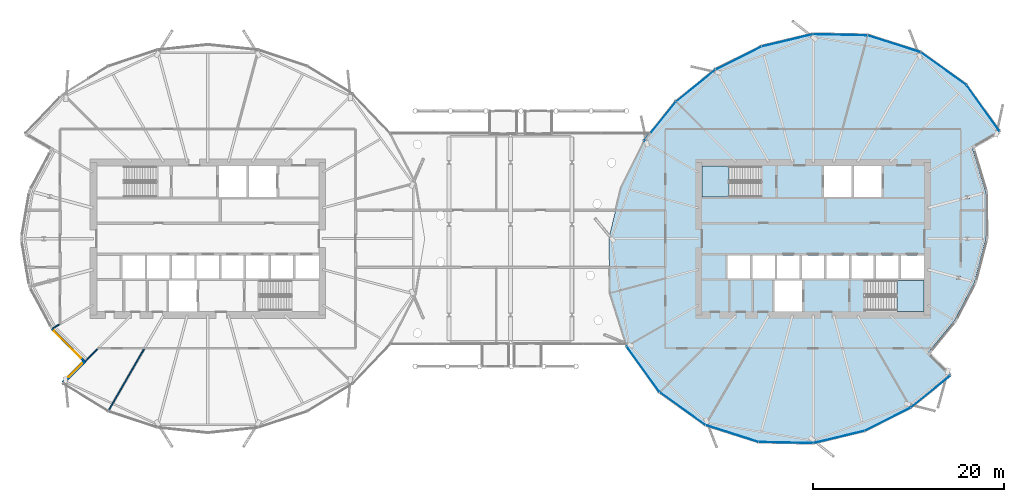
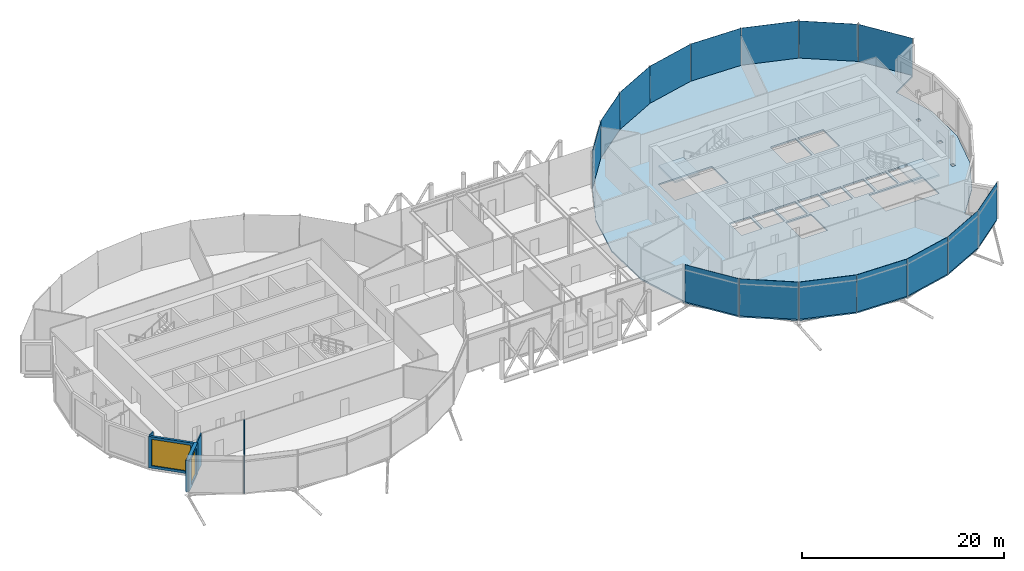
# One storey, part 21 of 36: 15 plates, 5 walls, 3 slabs, 2 windows, 2 openings, 3 elements without a shape of their own.
"""IFC4 building model written with IfcOpenShell, lengths in metres."""

from ifc_helpers import new_model, si_unit, direction, frame, frame_2d, origin, origin_2d, place, context, subcontext, project, spatial, polyline, rectangle, outline, extrude, material, layer, layer_set, type_object, element, fill, aggregate, save


model = new_model("IFC4")

# Units and contexts
model_context = context("Model", 3, precision=1e-05, world=origin(), true_north=direction((0.0, 1.0)))
body_context = subcontext(model_context, "Body", "Model", "MODEL_VIEW")
ifc_project = project(units=[si_unit("LENGTHUNIT", "METRE"), si_unit("AREAUNIT", "SQUARE_METRE"), si_unit("VOLUMEUNIT", "CUBIC_METRE"), si_unit("PLANEANGLEUNIT", "RADIAN"), si_unit("MASSUNIT", "GRAM", prefix="KILO")], contexts=[model_context])

# Site, building, storey
site_placement = place(None, origin())
site = spatial("IfcSite", under=ifc_project, at=site_placement, CompositionType="ELEMENT")
building_placement = place(site_placement, origin())
building = spatial("IfcBuilding", under=site, at=building_placement, Name="Rimbun Link Towers", CompositionType="ELEMENT")
storey_placement = place(building_placement, frame((0.0, 0.0, 154.39990234375)))
storey = spatial("IfcBuildingStorey", under=building, at=storey_placement, Name="L37", CompositionType="ELEMENT", Elevation=154.39990234375)

# Slab
ifc_material_1 = material(Name="Concrete C35/45", Category="concrete")
ifc_layer_1 = layer(ifc_material_1, 0.179931640625)
ifc_layer_set_1 = layer_set([ifc_layer_1], Name="COMPOSITE FLOOR 180")
slab_type_1 = type_object("IfcSlabType", Name="COMPOSITE FLOOR 180", PredefinedType="FLOOR", material=ifc_layer_set_1)
slab_1_placement = place(storey_placement, frame((0.0, 0.0, -0.179931640625)))
element("IfcSlab", 1, at=slab_1_placement, inside=storey, type_object=slab_type_1, Name="Floor slab T2 L37", PredefinedType="FLOOR", context=body_context, shape_type="SweptSolid", body=[
    extrude(outline(polyline([(41.9775390625, -17.714599609375), (37.146728515625, -20.140625), (31.75, -21.43115234375), (26.039794921875, -21.310791015625), (20.468994140625, -19.539306640625), (15.660888671875, -16.089111328125), (12.210693359375, -11.281005859375), (10.439208984375, -5.710205078125), (10.31884765625, 0.0), (11.609375, 5.396728515625), (14.035400390625, 10.2275390625), (17.384765625, 14.365234375), (21.5224609375, 17.714599609375), (26.353271484375, 20.140625), (31.75, 21.43115234375), (37.460205078125, 21.310791015625), (43.031005859375, 19.539306640625), (47.839111328125, 16.089111328125), (51.289306640625, 11.281005859375), (48.431396484375, 9.631103515625), (49.873291015625, 4.856201171875), (49.881103515625, 0.0), (48.702880859375, -4.54248046875), (46.606689453125, -8.577392578125), (43.78173828125, -12.03173828125), (46.115234375, -14.365234375), (41.9775390625, -17.714599609375)]), holes=[polyline([(30.60009765625, -7.64990234375), (30.60009765625, -4.39990234375), (27.699951171875, -4.39990234375), (27.699951171875, -7.64990234375), (30.60009765625, -7.64990234375)]), polyline([(25.138916015625, -4.14990234375), (25.138916015625, -1.75), (22.79443359375, -1.75), (22.79443359375, -4.14990234375), (25.138916015625, -4.14990234375)]), polyline([(27.7333984375, -4.14990234375), (27.7333984375, -1.75), (25.388916015625, -1.75), (25.388916015625, -4.14990234375), (27.7333984375, -4.14990234375)]), polyline([(30.327880859375, -4.14990234375), (30.327880859375, -1.75), (27.9833984375, -1.75), (27.9833984375, -4.14990234375), (30.327880859375, -4.14990234375)]), polyline([(32.922119140625, -4.14990234375), (32.922119140625, -1.75), (30.577880859375, -1.75), (30.577880859375, -4.14990234375), (32.922119140625, -4.14990234375)]), polyline([(35.5166015625, -4.14990234375), (35.5166015625, -1.75), (33.172119140625, -1.75), (33.172119140625, -4.14990234375), (35.5166015625, -4.14990234375)]), polyline([(26.239990234375, 4.39990234375), (26.239990234375, 7.64990234375), (20.10009765625, 7.64990234375), (20.10009765625, 4.39990234375), (26.239990234375, 4.39990234375)]), polyline([(35.800048828125, 4.39990234375), (35.800048828125, 7.64990234375), (32.89990234375, 7.64990234375), (32.89990234375, 4.39990234375), (35.800048828125, 4.39990234375)]), polyline([(43.39990234375, -7.64990234375), (43.39990234375, -4.39990234375), (37.260009765625, -4.39990234375), (37.260009765625, -7.64990234375), (43.39990234375, -7.64990234375)]), polyline([(47.214599609375, -4.287109375), (47.214599609375, -3.8935546875), (46.815673828125, -3.8935546875), (46.815673828125, -4.287109375), (47.214599609375, -4.287109375)]), polyline([(38.111083984375, -4.14990234375), (38.111083984375, -1.75), (35.7666015625, -1.75), (35.7666015625, -4.14990234375), (38.111083984375, -4.14990234375)]), polyline([(40.70556640625, -4.14990234375), (40.70556640625, -1.75), (38.361083984375, -1.75), (38.361083984375, -4.14990234375), (40.70556640625, -4.14990234375)]), polyline([(43.39990234375, -4.14990234375), (43.39990234375, -1.75), (40.95556640625, -1.75), (40.95556640625, -4.14990234375), (43.39990234375, -4.14990234375)]), polyline([(48.1162109375, -0.19677734375), (48.1162109375, 0.19677734375), (47.71728515625, 0.19677734375), (47.71728515625, -0.19677734375), (48.1162109375, -0.19677734375)]), polyline([(48.135498046875, 4.140380859375), (48.135498046875, 4.533935546875), (47.736572265625, 4.533935546875), (47.736572265625, 4.140380859375), (48.135498046875, 4.140380859375)]), polyline([(38.949951171875, 4.39990234375), (38.949951171875, 7.64990234375), (36.050048828125, 7.64990234375), (36.050048828125, 4.39990234375), (38.949951171875, 4.39990234375)])]), origin(), (0.0, 0.0, 1.0), 0.179931640625),
])

# Curtain wall, plates
ifc_material_2 = material(Name="Aluminium 6063-T6 and low-iron glass", Category="aluminium")
curtain_wall_type = type_object("IfcCurtainWallType", Name="CW5 full height lobby wall", PredefinedType="NOTDEFINED", material=ifc_material_2)
curtain_wall_placement = place(storey_placement, origin())
curtain_wall = element("IfcCurtainWall", 2, at=curtain_wall_placement, inside=storey, type_object=curtain_wall_type, Name="CW5 L37 T2", PredefinedType="NOTDEFINED")
ifc_material_3 = material(Name="Low-iron glass, laminated low-e unit", Category="glass")
ifc_layer_2 = layer(ifc_material_3, 0.031982421875)
ifc_layer_set_2 = layer_set([ifc_layer_2], Name="CW5 panel Low-iron glass 32")
plate_type = type_object("IfcPlateType", Name="CW5 panel Low-iron glass 32", PredefinedType="CURTAIN_PANEL", material=ifc_layer_set_2)
plate_1_placement = place(storey_placement, frame((45.4443359375, 17.8271484375, 0.0), z_axis=(0.0, 0.0, 1.0), x_axis=(0.81246534364, -0.58300948996, 0.0)))
plate_1 = element("IfcPlate", 3, at=plate_1_placement, type_object=plate_type, Name="CW5 panel", PredefinedType="CURTAIN_PANEL", context=body_context, shape_type="SweptSolid", body=[
    extrude(rectangle(XDim=5.8779296875, YDim=0.031982421875, at=origin_2d()), origin(), (0.0, 0.0, 1.0), 4.5),
])
plate_2_placement = place(storey_placement, frame((40.25048828125, 20.4404296875, 0.0), z_axis=(0.0, 0.0, 1.0), x_axis=(0.952971600555, -0.303059612182, 0.0)))
plate_2 = element("IfcPlate", 4, at=plate_2_placement, type_object=plate_type, Name="CW5 panel", PredefinedType="CURTAIN_PANEL", context=body_context, shape_type="SweptSolid", body=[
    extrude(rectangle(XDim=5.8056640625, YDim=0.031982421875, at=origin_2d()), origin(), (0.0, 0.0, 1.0), 4.5),
])
plate_3_placement = place(storey_placement, frame((34.60546875, 21.386962890625, 0.0), z_axis=(0.0, 0.0, 1.0), x_axis=(0.999778152734, -0.021062889527, 0.0)))
plate_3 = element("IfcPlate", 5, at=plate_3_placement, type_object=plate_type, Name="CW5 panel", PredefinedType="CURTAIN_PANEL", context=body_context, shape_type="SweptSolid", body=[
    extrude(rectangle(XDim=5.67138671875, YDim=0.031982421875, at=origin_2d()), origin(), (0.0, 0.0, 1.0), 4.5),
])
plate_4_placement = place(storey_placement, frame((29.0478515625, 20.801513671875, 0.0), z_axis=(0.0, 0.0, 1.0), x_axis=(0.972575435448, 0.232587665973, 0.0)))
plate_4 = element("IfcPlate", 6, at=plate_4_placement, type_object=plate_type, Name="CW5 panel", PredefinedType="CURTAIN_PANEL", context=body_context, shape_type="SweptSolid", body=[
    extrude(rectangle(XDim=5.5087890625, YDim=0.031982421875, at=origin_2d()), origin(), (0.0, 0.0, 1.0), 4.5),
])
plate_5_placement = place(storey_placement, frame((23.9306640625, 18.94189453125, 0.0), z_axis=(0.0, 0.0, 1.0), x_axis=(0.893641464981, 0.448781608432, 0.0)))
plate_5 = element("IfcPlate", 7, at=plate_5_placement, type_object=plate_type, Name="CW5 panel", PredefinedType="CURTAIN_PANEL", context=body_context, shape_type="SweptSolid", body=[
    extrude(rectangle(XDim=5.36572265625, YDim=0.031982421875, at=origin_2d()), origin(), (0.0, 0.0, 1.0), 4.5),
])
plate_6_placement = place(storey_placement, frame((19.443603515625, 16.052490234375, 0.0), z_axis=(0.0, 0.0, 1.0), x_axis=(0.777276803841, 0.629158779809, 0.0)))
plate_6 = element("IfcPlate", 8, at=plate_6_placement, type_object=plate_type, Name="CW5 panel", PredefinedType="CURTAIN_PANEL", context=body_context, shape_type="SweptSolid", body=[
    extrude(rectangle(XDim=5.283447265625, YDim=0.031982421875, at=origin_2d()), origin(), (0.0, 0.0, 1.0), 4.5),
])
plate_7_placement = place(storey_placement, frame((15.697509765625, 12.306396484375, 0.0), z_axis=(0.0, 0.0, 1.0), x_axis=(0.629158779809, 0.777276803841, 0.0)))
plate_7 = element("IfcPlate", 9, at=plate_7_placement, type_object=plate_type, Name="CW5 panel", PredefinedType="CURTAIN_PANEL", context=body_context, shape_type="SweptSolid", body=[
    extrude(rectangle(XDim=5.283447265625, YDim=0.031982421875, at=origin_2d()), origin(), (0.0, 0.0, 1.0), 4.5),
])
plate_8_placement = place(storey_placement, frame((13.9228515625, -13.6943359375, 0.0), z_axis=(0.0, 0.0, 1.0), x_axis=(-0.58300948996, 0.81246534364, 0.0)))
plate_8 = element("IfcPlate", 10, at=plate_8_placement, type_object=plate_type, Name="CW5 panel", PredefinedType="CURTAIN_PANEL", context=body_context, shape_type="SweptSolid", body=[
    extrude(rectangle(XDim=5.8779296875, YDim=0.031982421875, at=origin_2d()), origin(), (0.0, 0.0, 1.0), 4.5),
])
plate_9_placement = place(storey_placement, frame((18.0556640625, -17.8271484375, 0.0), z_axis=(0.0, 0.0, 1.0), x_axis=(-0.81246534364, 0.58300948996, 0.0)))
plate_9 = element("IfcPlate", 11, at=plate_9_placement, type_object=plate_type, Name="CW5 panel", PredefinedType="CURTAIN_PANEL", context=body_context, shape_type="SweptSolid", body=[
    extrude(rectangle(XDim=5.8779296875, YDim=0.031982421875, at=origin_2d()), origin(), (0.0, 0.0, 1.0), 4.5),
])
plate_10_placement = place(storey_placement, frame((23.24951171875, -20.4404296875, 0.0), z_axis=(0.0, 0.0, 1.0), x_axis=(-0.952971600555, 0.303059612182, 0.0)))
plate_10 = element("IfcPlate", 12, at=plate_10_placement, type_object=plate_type, Name="CW5 panel", PredefinedType="CURTAIN_PANEL", context=body_context, shape_type="SweptSolid", body=[
    extrude(rectangle(XDim=5.8056640625, YDim=0.031982421875, at=origin_2d()), origin(), (0.0, 0.0, 1.0), 4.5),
])
plate_11_placement = place(storey_placement, frame((28.89453125, -21.386962890625, 0.0), z_axis=(0.0, 0.0, 1.0), x_axis=(-0.999778152734, 0.021062889527, 0.0)))
plate_11 = element("IfcPlate", 13, at=plate_11_placement, type_object=plate_type, Name="CW5 panel", PredefinedType="CURTAIN_PANEL", context=body_context, shape_type="SweptSolid", body=[
    extrude(rectangle(XDim=5.67138671875, YDim=0.031982421875, at=origin_2d()), origin(), (0.0, 0.0, 1.0), 4.5),
])
plate_12_placement = place(storey_placement, frame((34.4521484375, -20.801513671875, 0.0), z_axis=(0.0, 0.0, 1.0), x_axis=(-0.972575435448, -0.232587665973, 0.0)))
plate_12 = element("IfcPlate", 14, at=plate_12_placement, type_object=plate_type, Name="CW5 panel", PredefinedType="CURTAIN_PANEL", context=body_context, shape_type="SweptSolid", body=[
    extrude(rectangle(XDim=5.5087890625, YDim=0.031982421875, at=origin_2d()), origin(), (0.0, 0.0, 1.0), 4.5),
])
plate_13_placement = place(storey_placement, frame((39.5693359375, -18.94189453125, 0.0), z_axis=(0.0, 0.0, 1.0), x_axis=(-0.893641464981, -0.448781608432, 0.0)))
plate_13 = element("IfcPlate", 15, at=plate_13_placement, type_object=plate_type, Name="CW5 panel", PredefinedType="CURTAIN_PANEL", context=body_context, shape_type="SweptSolid", body=[
    extrude(rectangle(XDim=5.36572265625, YDim=0.031982421875, at=origin_2d()), origin(), (0.0, 0.0, 1.0), 4.5),
])
plate_14_placement = place(storey_placement, frame((44.056396484375, -16.052490234375, 0.0), z_axis=(0.0, 0.0, 1.0), x_axis=(-0.777276803841, -0.629158779809, 0.0)))
plate_14 = element("IfcPlate", 16, at=plate_14_placement, type_object=plate_type, Name="CW5 panel", PredefinedType="CURTAIN_PANEL", context=body_context, shape_type="SweptSolid", body=[
    extrude(rectangle(XDim=5.283447265625, YDim=0.031982421875, at=origin_2d()), origin(), (0.0, 0.0, 1.0), 4.5),
])
plate_15_placement = place(storey_placement, frame((49.5771484375, 13.6943359375, 0.0), z_axis=(0.0, 0.0, 1.0), x_axis=(0.58300948996, -0.81246534364, 0.0)))
plate_15 = element("IfcPlate", 17, at=plate_15_placement, type_object=plate_type, Name="CW5 panel", PredefinedType="CURTAIN_PANEL", context=body_context, shape_type="SweptSolid", body=[
    extrude(rectangle(XDim=5.8779296875, YDim=0.031982421875, at=origin_2d()), origin(), (0.0, 0.0, 1.0), 4.5),
])
aggregate(curtain_wall, [plate_1, plate_2, plate_3, plate_4, plate_5, plate_6, plate_7, plate_8, plate_9, plate_10, plate_11, plate_12, plate_13, plate_14, plate_15])

# Stair, slab
ifc_material_4 = material(Name="Concrete C40/50", Category="concrete")
stair_type = type_object("IfcStairType", Name="Exit stair 4500 rise", PredefinedType="HALF_TURN_STAIR", material=ifc_material_4)
stair_1_placement = place(storey_placement, origin())
stair_1 = element("IfcStair", 18, at=stair_1_placement, inside=storey, type_object=stair_type, Name="L37 EXIT STAIR A", PredefinedType="HALF_TURN_STAIR")
ifc_material_5 = material(Name="Concrete C40/50", Category="concrete")
ifc_layer_3 = layer(ifc_material_5, 0.199951171875)
ifc_layer_set_3 = layer_set([ifc_layer_3], Name="Stair landing")
slab_type_2 = type_object("IfcSlabType", Name="Stair landing", PredefinedType="LANDING", material=ifc_layer_set_3)
slab_2_placement = place(storey_placement, frame((0.0, 0.0, 2.050048828125)))
slab_2 = element("IfcSlab", 19, at=slab_2_placement, type_object=slab_type_2, Name="ST3 landing 1", PredefinedType="LANDING", context=body_context, shape_type="SweptSolid", body=[
    extrude(outline(polyline([(22.93994140625, 7.64990234375), (20.10009765625, 7.64990234375), (20.10009765625, 4.39990234375), (22.93994140625, 4.39990234375), (22.93994140625, 7.64990234375)])), origin(), (0.0, 0.0, 1.0), 0.199951171875),
])
aggregate(stair_1, [slab_2])

stair_2_placement = place(storey_placement, origin())
stair_2 = element("IfcStair", 20, at=stair_2_placement, inside=storey, type_object=stair_type, Name="L37 EXIT STAIR B", PredefinedType="HALF_TURN_STAIR")
slab_3_placement = place(storey_placement, frame((0.0, 0.0, 2.050048828125)))
slab_3 = element("IfcSlab", 21, at=slab_3_placement, type_object=slab_type_2, Name="ST4 landing 1", PredefinedType="LANDING", context=body_context, shape_type="SweptSolid", body=[
    extrude(outline(polyline([(40.56005859375, -7.64990234375), (43.39990234375, -7.64990234375), (43.39990234375, -4.39990234375), (40.56005859375, -4.39990234375), (40.56005859375, -7.64990234375)])), origin(), (0.0, 0.0, 1.0), 0.199951171875),
])
aggregate(stair_2, [slab_3])

# Wall, opening, window
ifc_material_6 = material(Name="Dark enamelled glass spandrel on insulated aluminium backpan", Category="aluminium")
ifc_layer_4 = layer(ifc_material_6, 0.25)
ifc_layer_set_4 = layer_set([ifc_layer_4], Name="CS dark enamelled spandrel wall 250")
wall_type_1 = type_object("IfcWallType", Name="CS dark enamelled spandrel wall 250", PredefinedType="STANDARD", material=ifc_layer_set_4)
wall_1_placement = place(storey_placement, frame((-44.835693359375, -12.73193359375, 0.0), z_axis=(0.0, 0.0, 1.0), x_axis=(-0.705970868874, 0.708240871668, 0.0)))
wall_1 = element("IfcWall", 22, at=wall_1_placement, inside=storey, type_object=wall_type_1, Name="Crease spandrel wall", PredefinedType="STANDARD", context=body_context, shape_type="SweptSolid", body=[
    extrude(rectangle(XDim=4.624755859375, YDim=0.25, at=frame_2d((2.3125, 0.0))), origin(), (0.0, 0.0, 1.0), 3.80712890625),
])
opening_1_placement = place(wall_1_placement, frame((0.3125, 0.0, 0.300048828125)))
opening_1 = element("IfcOpeningElement", 23, at=opening_1_placement, cuts=wall_1, Name="Opening WR40H320", PredefinedType="OPENING", context=body_context, shape_type="SweptSolid", body=[
    extrude(rectangle(XDim=4.0, YDim=3.199951171875, at=frame_2d((2.0, 1.60009765625))), frame((0.0, 0.135009765625, 0.0), z_axis=(0.0, -1.0, 0.0), x_axis=(1.0, 0.0, 0.0)), (0.0, 0.0, 1.0), 0.27001953125),
])
ifc_material_7 = material(Name="Aluminium framed fixed window, dark tinted low-e glass", Category="aluminium")
window_type_1 = type_object("IfcWindowType", Name="WR ribbon window 4000X3200", PartitioningType="SINGLE_PANEL", PredefinedType="WINDOW", material=ifc_material_7)
window_1_placement = place(opening_1_placement, origin())
window_1 = element("IfcWindow", 24, at=window_1_placement, inside=storey, type_object=window_type_1, Name="Crease ribbon window", OverallHeight=3.199951171875, OverallWidth=4.0, PartitioningType="SINGLE_PANEL", PredefinedType="WINDOW", context=body_context, shape_type="SweptSolid", body=[
    extrude(rectangle(XDim=4.0, YDim=3.199951171875, at=frame_2d((2.0, 1.60009765625))), frame((0.0, 0.030029296875, 0.0), z_axis=(0.0, -1.0, 0.0), x_axis=(1.0, 0.0, 0.0)), (0.0, 0.0, 1.0), 0.06005859375),
])
fill(opening_1, window_1)

ifc_material_8 = material(Name="Dark enamelled glass spandrel on insulated aluminium backpan", Category="aluminium")
ifc_layer_5 = layer(ifc_material_8, 0.3701171875)
ifc_layer_set_5 = layer_set([ifc_layer_5], Name="CS dark enamelled spandrel wall 370")
wall_type_2 = type_object("IfcWallType", Name="CS dark enamelled spandrel wall 370", PredefinedType="STANDARD", material=ifc_layer_set_5)
wall_2_placement = place(storey_placement, frame((-46.93603515625, -15.093994140625, 0.0), z_axis=(0.0, 0.0, 1.0), x_axis=(0.707106781187, 0.707106781187, 0.0)))
wall_2 = element("IfcWall", 25, at=wall_2_placement, inside=storey, type_object=wall_type_2, Name="Crease spandrel wall", PredefinedType="STANDARD", context=body_context, shape_type="SweptSolid", body=[
    extrude(rectangle(XDim=3.280029296875, YDim=0.3701171875, at=frame_2d((1.64013671875, 0.0))), origin(), (0.0, 0.0, 1.0), 3.80712890625),
])
opening_2_placement = place(wall_2_placement, frame((0.8134765625, 0.0, 0.300048828125)))
opening_2 = element("IfcOpeningElement", 26, at=opening_2_placement, cuts=wall_2, Name="Opening WR20H320", PredefinedType="OPENING", context=body_context, shape_type="SweptSolid", body=[
    extrude(rectangle(XDim=2.0, YDim=3.199951171875, at=frame_2d((1.0, 1.60009765625))), frame((0.0, 0.195068359375, 0.0), z_axis=(0.0, -1.0, 0.0), x_axis=(1.0, 0.0, 0.0)), (0.0, 0.0, 1.0), 0.39013671875),
])
ifc_material_9 = material(Name="Aluminium framed fixed window, dark tinted low-e glass", Category="aluminium")
window_type_2 = type_object("IfcWindowType", Name="WR ribbon window 2000X3200", PartitioningType="SINGLE_PANEL", PredefinedType="WINDOW", material=ifc_material_9)
window_2_placement = place(opening_2_placement, origin())
window_2 = element("IfcWindow", 27, at=window_2_placement, inside=storey, type_object=window_type_2, Name="Crease ribbon window", OverallHeight=3.199951171875, OverallWidth=2.0, PartitioningType="SINGLE_PANEL", PredefinedType="WINDOW", context=body_context, shape_type="SweptSolid", body=[
    extrude(rectangle(XDim=2.0, YDim=3.199951171875, at=frame_2d((1.0, 1.60009765625))), frame((0.0, 0.030029296875, 0.0), z_axis=(0.0, -1.0, 0.0), x_axis=(1.0, 0.0, 0.0)), (0.0, 0.0, 1.0), 0.06005859375),
])
fill(opening_2, window_2)

# Walls
ifc_material_10 = material(Name="Gypsum board on steel studs", Category="steel")
ifc_layer_6 = layer(ifc_material_10, 0.125)
ifc_layer_set_6 = layer_set([ifc_layer_6], Name="Partition 125 board on studs")
wall_type_3 = type_object("IfcWallType", Name="Partition 125 board on studs", PredefinedType="PARTITIONING", material=ifc_layer_set_6)
wall_3_placement = place(storey_placement, frame((-47.34375, -9.003173828125, 0.0), z_axis=(0.0, 0.0, 1.0), x_axis=(-0.866110364569, -0.499852814723, 0.0)))
element("IfcWall", 28, at=wall_3_placement, inside=storey, type_object=wall_type_3, Name="TW/PW/L37/008", PredefinedType="PARTITIONING", context=body_context, shape_type="SweptSolid", body=[
    extrude(rectangle(XDim=0.756591796875, YDim=0.125, at=frame_2d((0.37841796875, 0.0))), origin(), (0.0, 0.0, 1.0), 3.797119140625),
])
wall_4_placement = place(storey_placement, frame((-44.584716796875, -12.834716796875, 0.0), z_axis=(0.0, 0.0, 1.0), x_axis=(0.707106781187, 0.707106781187, 0.0)))
element("IfcWall", 29, at=wall_4_placement, inside=storey, type_object=wall_type_3, Name="TW/PW/L37/010", PredefinedType="PARTITIONING", context=body_context, shape_type="SweptSolid", body=[
    extrude(rectangle(XDim=1.736572265625, YDim=0.125, at=frame_2d((0.8681640625, 0.0))), origin(), (0.0, 0.0, 1.0), 3.797119140625),
])
wall_5_placement = place(storey_placement, frame((-42.215576171875, -18.126708984375, 0.0), z_axis=(0.0, 0.0, 1.0), x_axis=(0.500016605963, 0.866015816115, 0.0)))
element("IfcWall", 30, at=wall_5_placement, inside=storey, type_object=wall_type_3, Name="TW/PW/L37/026", PredefinedType="PARTITIONING", context=body_context, shape_type="SweptSolid", body=[
    extrude(rectangle(XDim=7.543701171875, YDim=0.125, at=frame_2d((3.77197265625, 0.0))), origin(), (0.0, 0.0, 1.0), 3.647216796875),
])

save(model, "model.ifc")
